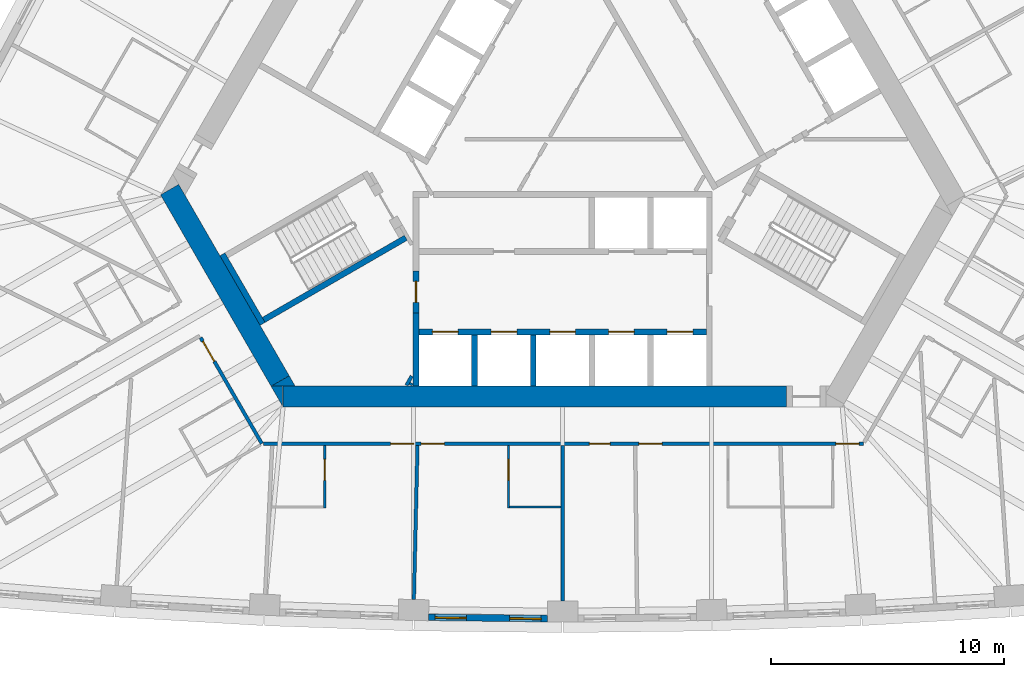
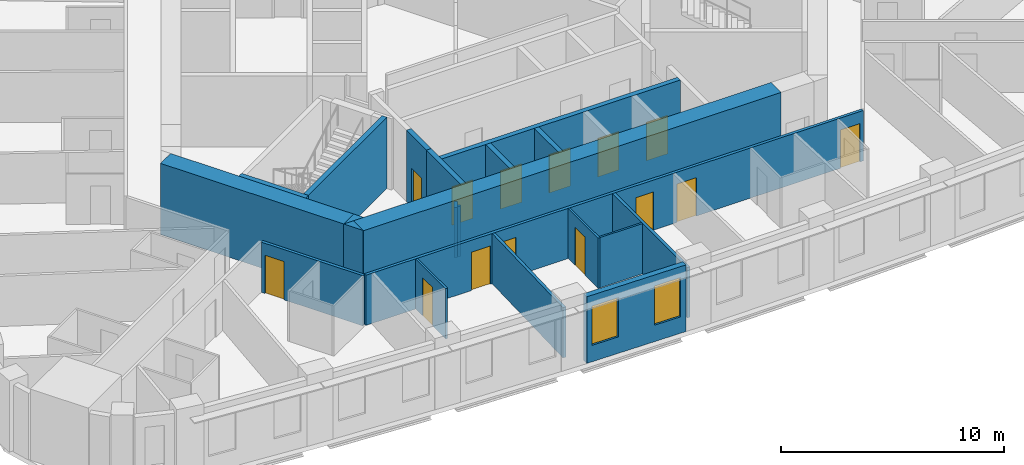
# One storey, part 4 of 13: 21 walls, 14 doors, 2 windows, 16 openings.
"""IFC4 building model written with IfcOpenShell, lengths in metres."""

from ifc_helpers import new_model, si_unit, direction, frame, frame_2d, origin, place, context, subcontext, project, spatial, polyline, rectangle, outline, extrude, material, layer, layer_set, type_object, element, fill, save


model = new_model("IFC4")

# Units and contexts
model_context = context("Model", 3, precision=1e-05, world=origin(), true_north=direction((0.0, 1.0)))
body_context = subcontext(model_context, "Body", "Model", "MODEL_VIEW")
ifc_project = project(units=[si_unit("LENGTHUNIT", "METRE"), si_unit("AREAUNIT", "SQUARE_METRE"), si_unit("VOLUMEUNIT", "CUBIC_METRE"), si_unit("PLANEANGLEUNIT", "RADIAN"), si_unit("MASSUNIT", "GRAM", prefix="KILO")], contexts=[model_context])

# Site, building, storey
site_placement = place(None, origin())
site = spatial("IfcSite", under=ifc_project, at=site_placement, CompositionType="ELEMENT")
building_placement = place(site_placement, origin())
building = spatial("IfcBuilding", under=site, at=building_placement, Name="Mestral Congress Tower", CompositionType="ELEMENT")
storey_placement = place(building_placement, frame((0.0, 0.0, 91.5)))
storey = spatial("IfcBuildingStorey", under=building, at=storey_placement, Name="L21", CompositionType="ELEMENT", Elevation=91.5)

# Walls
ifc_material_1 = material(Name="Fire-rated board partition")
ifc_layer_1 = layer(ifc_material_1, 0.14990234375)
ifc_layer_set_1 = layer_set([ifc_layer_1], Name="Fire-rated board partition")
wall_type_1 = type_object("IfcWallType", Name="Core partition 150", PredefinedType="PARTITIONING", material=ifc_layer_set_1)
wall_1_placement = place(storey_placement, frame((-6.707763671875, -12.068115234375, 0.0), z_axis=(0.0, 0.0, 1.0), x_axis=(0.500000789788, 0.8660249478, 0.0)))
element("IfcWall", 1, at=wall_1_placement, inside=storey, type_object=wall_type_1, Name="L21 core wall", PredefinedType="PARTITIONING", context=body_context, shape_type="SweptSolid", body=[
    extrude(rectangle(XDim=0.45556640625, YDim=0.14990234375, at=frame_2d((0.227783203125, 0.0))), origin(), (0.0, 0.0, 1.0), 2.75),
])
wall_2_placement = place(storey_placement, frame((-6.534423828125, -12.068115234375, 0.0), z_axis=(0.0, 0.0, 1.0), x_axis=(0.500240224089, 0.865886665912, 0.0)))
element("IfcWall", 2, at=wall_2_placement, inside=storey, type_object=wall_type_1, Name="L21 core wall", PredefinedType="PARTITIONING", context=body_context, shape_type="SweptSolid", body=[
    extrude(rectangle(XDim=0.10888671875, YDim=0.14990234375, at=frame_2d((0.054443359375, 0.0))), origin(), (0.0, 0.0, 1.0), 2.75),
])
ifc_material_2 = material(Name="Concrete C60/75", Category="concrete")
ifc_layer_2 = layer(ifc_material_2, 0.89990234375)
ifc_layer_set_2 = layer_set([ifc_layer_2], Name="Concrete C60/75")
wall_type_2 = type_object("IfcWallType", Name="Core wall RC 900", PredefinedType="SOLIDWALL", material=ifc_layer_set_2)
wall_3_placement = place(storey_placement, frame((-12.0185546875, -12.550048828125, 0.0), z_axis=(0.0, 0.0, 1.0), x_axis=(1.0, 0.0, 0.0)))
element("IfcWall", 3, at=wall_3_placement, inside=storey, type_object=wall_type_2, Name="L21 core wall", PredefinedType="SOLIDWALL", context=body_context, shape_type="SweptSolid", body=[
    extrude(rectangle(XDim=21.63037109375, YDim=0.89990234375, at=frame_2d((10.815185546875, 0.0))), origin(), (0.0, 0.0, 1.0), 3.89990234375),
])
placement = place(storey_placement, origin())
element("IfcWall", 4, at=placement, inside=storey, type_object=wall_type_2, Name="L21 core wall", PredefinedType="SOLIDWALL", context=body_context, shape_type="SweptSolid", body=[
    extrude(outline(polyline([(-12.528564453125, -12.10009765625), (-12.0205078125, -12.10009765625), (-12.0205078125, -12.97998046875), (-12.528564453125, -12.10009765625)])), origin(), (0.0, 0.0, 1.0), 3.89990234375),
])
wall_5_placement = place(storey_placement, frame((-12.134033203125, -11.88330078125, 0.0), z_axis=(0.0, 0.0, 1.0), x_axis=(-0.500005339912, 0.866022320763, 0.0)))
element("IfcWall", 5, at=wall_5_placement, inside=storey, type_object=wall_type_2, Name="L21 core wall", PredefinedType="SOLIDWALL", context=body_context, shape_type="SweptSolid", body=[
    extrude(rectangle(XDim=9.48779296875, YDim=0.89990234375, at=frame_2d((4.743896484375, 0.0))), origin(), (0.0, 0.0, 1.0), 3.89990234375),
])
element("IfcWall", 6, at=placement, inside=storey, type_object=wall_type_2, Name="L21 core wall", PredefinedType="SOLIDWALL", context=body_context, shape_type="SweptSolid", body=[
    extrude(outline(polyline([(-11.4892578125, -12.10009765625), (-12.50537109375, -12.10009765625), (-11.743408203125, -11.66015625), (-11.4892578125, -12.10009765625)])), origin(), (0.0, 0.0, 1.0), 3.89990234375),
])

# Wall, openings, windows
ifc_material_3 = material(Name="Precast concrete C40/50 with limestone facing", Category="masonry")
ifc_layer_3 = layer(ifc_material_3, 0.2900390625)
ifc_layer_set_3 = layer_set([ifc_layer_3], Name="Precast concrete C40/50 with limestone facing")
wall_type_3 = type_object("IfcWallType", Name="Facade stone wall 290", PredefinedType="SOLIDWALL", material=ifc_layer_set_3)
wall_7_placement = place(storey_placement, frame((-5.753173828125, -22.031494140625, 0.0), z_axis=(0.0, 0.0, 1.0), x_axis=(0.999931786565, -0.011679992145, 0.0)))
wall_7 = element("IfcWall", 7, at=wall_7_placement, inside=storey, type_object=wall_type_3, Name="Facade wall F0-03", PredefinedType="SOLIDWALL", context=body_context, shape_type="SweptSolid", body=[
    extrude(rectangle(XDim=5.10009765625, YDim=0.2900390625, at=frame_2d((2.550048828125, 0.0))), origin(), (0.0, 0.0, 1.0), 3.64990234375),
])
opening_1_placement = place(wall_7_placement, frame((0.2724609375, 0.0, 0.89990234375)))
opening_1 = element("IfcOpeningElement", 8, at=opening_1_placement, cuts=wall_7, Name="Opening W2", PredefinedType="OPENING", context=body_context, shape_type="SweptSolid", body=[
    extrude(rectangle(XDim=1.35009765625, YDim=2.14990234375, at=frame_2d((0.675048828125, 1.074951171875))), frame((0.0, 0.155029296875, 0.0), z_axis=(0.0, -1.0, 0.0), x_axis=(1.0, 0.0, 0.0)), (0.0, 0.0, 1.0), 0.31005859375),
])
opening_2_placement = place(wall_7_placement, frame((3.477783203125, 0.0, 0.89990234375)))
opening_2 = element("IfcOpeningElement", 9, at=opening_2_placement, cuts=wall_7, Name="Opening W2", PredefinedType="OPENING", context=body_context, shape_type="SweptSolid", body=[
    extrude(rectangle(XDim=1.35009765625, YDim=2.14990234375, at=frame_2d((0.675048828125, 1.074951171875))), frame((0.0, 0.155029296875, 0.0), z_axis=(0.0, -1.0, 0.0), x_axis=(1.0, 0.0, 0.0)), (0.0, 0.0, 1.0), 0.31005859375),
])
ifc_material_4 = material(Name="Clear low-emissivity double glazing", Category="glass")
window_type = type_object("IfcWindowType", Name="Facade punched window 1350 x 2150 sill 900", PartitioningType="DOUBLE_PANEL_VERTICAL", PredefinedType="WINDOW", material=ifc_material_4)
window_1_placement = place(opening_1_placement, origin())
window_1 = element("IfcWindow", 10, at=window_1_placement, inside=storey, type_object=window_type, Name="Window F0-03a", OverallHeight=2.14990234375, OverallWidth=1.35009765625, PartitioningType="DOUBLE_PANEL_VERTICAL", PredefinedType="WINDOW", context=body_context, shape_type="SweptSolid", body=[
    extrude(rectangle(XDim=1.35009765625, YDim=2.14990234375, at=frame_2d((0.675048828125, 1.074951171875))), frame((0.0, 0.01513671875, 0.0), z_axis=(0.0, -1.0, 0.0), x_axis=(1.0, 0.0, 0.0)), (0.0, 0.0, 1.0), 0.06005859375),
])
fill(opening_1, window_1)
window_2_placement = place(opening_2_placement, origin())
window_2 = element("IfcWindow", 11, at=window_2_placement, inside=storey, type_object=window_type, Name="Window F0-03b", OverallHeight=2.14990234375, OverallWidth=1.35009765625, PartitioningType="DOUBLE_PANEL_VERTICAL", PredefinedType="WINDOW", context=body_context, shape_type="SweptSolid", body=[
    extrude(rectangle(XDim=1.35009765625, YDim=2.14990234375, at=frame_2d((0.675048828125, 1.074951171875))), frame((0.0, 0.01513671875, 0.0), z_axis=(0.0, -1.0, 0.0), x_axis=(1.0, 0.0, 0.0)), (0.0, 0.0, 1.0), 0.06005859375),
])
fill(opening_2, window_2)

# Wall, opening, door
ifc_material_5 = material(Name="Gypsum board partition on metal studs with mineral wool", Category="composite")
ifc_layer_4 = layer(ifc_material_5, 0.10009765625)
ifc_layer_set_4 = layer_set([ifc_layer_4], Name="Gypsum board partition on metal studs with mineral wool")
wall_type_4 = type_object("IfcWallType", Name="Hotel partition wall 100", PredefinedType="PARTITIONING", material=ifc_layer_set_4)
wall_8_placement = place(storey_placement, frame((-10.222412109375, -17.35009765625, 0.0), z_axis=(0.0, 0.0, 1.0), x_axis=(0.0, 1.0, 0.0)))
wall_8 = element("IfcWall", 12, at=wall_8_placement, inside=storey, type_object=wall_type_4, Name="L21-h-pod03a", PredefinedType="PARTITIONING", context=body_context, shape_type="SweptSolid", body=[
    extrude(rectangle(XDim=2.7001953125, YDim=0.10009765625, at=frame_2d((1.35009765625, 0.0))), origin(), (0.0, 0.0, 1.0), 2.75),
])
opening_3_placement = place(wall_8_placement, frame((1.199951171875, 0.0, 0.0)))
opening_3 = element("IfcOpeningElement", 13, at=opening_3_placement, cuts=wall_8, Name="Opening H06-006", PredefinedType="OPENING", context=body_context, shape_type="SweptSolid", body=[
    extrude(rectangle(XDim=0.89990234375, YDim=2.10009765625, at=frame_2d((0.449951171875, 1.050048828125))), frame((0.0, 0.06005859375, 0.0), z_axis=(0.0, -1.0, 0.0), x_axis=(1.0, 0.0, 0.0)), (0.0, 0.0, 1.0), 0.1201171875),
])
ifc_material_6 = material(Name="Timber veneer door leaf in timber frame", Category="wood")
door_type_1 = type_object("IfcDoorType", Name="Bathroom door 900", OperationType="SINGLE_SWING_LEFT", PredefinedType="DOOR", material=ifc_material_6)
door_1_placement = place(opening_3_placement, origin())
door_1 = element("IfcDoor", 14, at=door_1_placement, inside=storey, type_object=door_type_1, Name="L21-h-d006", OperationType="SINGLE_SWING_RIGHT", OverallHeight=2.10009765625, OverallWidth=0.89990234375, PredefinedType="DOOR", context=body_context, shape_type="SweptSolid", body=[
    extrude(rectangle(XDim=0.89990234375, YDim=2.10009765625, at=frame_2d((0.449951171875, 1.050048828125))), frame((0.0, 0.02490234375, 0.0), z_axis=(0.0, -1.0, 0.0), x_axis=(1.0, 0.0, 0.0)), (0.0, 0.0, 1.0), 0.050048828125),
])
fill(opening_3, door_1)

wall_9_placement = place(storey_placement, frame((-2.325927734375, -14.64990234375, 0.0), z_axis=(0.0, 0.0, 1.0), x_axis=(0.0, -1.0, 0.0)))
wall_9 = element("IfcWall", 15, at=wall_9_placement, inside=storey, type_object=wall_type_4, Name="L21-h-pod04a", PredefinedType="PARTITIONING", context=body_context, shape_type="SweptSolid", body=[
    extrude(rectangle(XDim=2.7001953125, YDim=0.10009765625, at=frame_2d((1.35009765625, 0.0))), origin(), (0.0, 0.0, 1.0), 2.75),
])
opening_4_placement = place(wall_9_placement, frame((0.60009765625, 0.0, 0.0)))
opening_4 = element("IfcOpeningElement", 16, at=opening_4_placement, cuts=wall_9, Name="Opening H06-008", PredefinedType="OPENING", context=body_context, shape_type="SweptSolid", body=[
    extrude(rectangle(XDim=0.89990234375, YDim=2.10009765625, at=frame_2d((0.449951171875, 1.050048828125))), frame((0.0, 0.06005859375, 0.0), z_axis=(0.0, -1.0, 0.0), x_axis=(1.0, 0.0, 0.0)), (0.0, 0.0, 1.0), 0.1201171875),
])
door_2_placement = place(opening_4_placement, origin())
door_2 = element("IfcDoor", 17, at=door_2_placement, inside=storey, type_object=door_type_1, Name="L21-h-d008", OperationType="SINGLE_SWING_LEFT", OverallHeight=2.10009765625, OverallWidth=0.89990234375, PredefinedType="DOOR", context=body_context, shape_type="SweptSolid", body=[
    extrude(rectangle(XDim=0.89990234375, YDim=2.10009765625, at=frame_2d((0.449951171875, 1.050048828125))), frame((0.0, 0.02490234375, 0.0), z_axis=(0.0, -1.0, 0.0), x_axis=(1.0, 0.0, 0.0)), (0.0, 0.0, 1.0), 0.050048828125),
])
fill(opening_4, door_2)

# Wall
wall_10_placement = place(storey_placement, frame((-2.27587890625, -17.300048828125, 0.0), z_axis=(0.0, 0.0, 1.0), x_axis=(1.0, 0.0, 0.0)))
element("IfcWall", 18, at=wall_10_placement, inside=storey, type_object=wall_type_4, Name="L21-h-pod04b", PredefinedType="PARTITIONING", context=body_context, shape_type="SweptSolid", body=[
    extrude(rectangle(XDim=2.199951171875, YDim=0.10009765625, at=frame_2d((1.10009765625, 0.0))), origin(), (0.0, 0.0, 1.0), 2.75),
])

# Wall, opening, door
ifc_layer_5 = layer(ifc_material_5, 0.14990234375)
ifc_layer_set_5 = layer_set([ifc_layer_5], Name="Gypsum board partition on metal studs with mineral wool")
wall_type_5 = type_object("IfcWallType", Name="Hotel partition wall 150", PredefinedType="PARTITIONING", material=ifc_layer_set_5)
wall_11_placement = place(storey_placement, frame((-12.918212890625, -14.574951171875, 0.0), z_axis=(0.0, 0.0, 1.0), x_axis=(-0.500009150678, 0.866020120573, 0.0)))
wall_11 = element("IfcWall", 19, at=wall_11_placement, inside=storey, type_object=wall_type_5, Name="L21-h-cw12", PredefinedType="PARTITIONING", context=body_context, shape_type="SweptSolid", body=[
    extrude(rectangle(XDim=5.25830078125, YDim=0.14990234375, at=frame_2d((2.629150390625, 0.0))), origin(), (0.0, 0.0, 1.0), 2.75),
])
opening_5_placement = place(wall_11_placement, frame((4.078125, 0.0, 0.0)))
opening_5 = element("IfcOpeningElement", 20, at=opening_5_placement, cuts=wall_11, Name="Opening H06-003", PredefinedType="OPENING", context=body_context, shape_type="SweptSolid", body=[
    extrude(rectangle(XDim=1.0, YDim=2.10009765625, at=frame_2d((0.5, 1.050048828125))), frame((0.0, 0.0849609375, 0.0), z_axis=(0.0, -1.0, 0.0), x_axis=(1.0, 0.0, 0.0)), (0.0, 0.0, 1.0), 0.169921875),
])
ifc_material_7 = material(Name="Timber veneer door leaf in metal frame", Category="wood")
door_type_2 = type_object("IfcDoorType", Name="Guest room entrance door 1000", OperationType="SINGLE_SWING_LEFT", PredefinedType="DOOR", material=ifc_material_7)
door_3_placement = place(opening_5_placement, origin())
door_3 = element("IfcDoor", 21, at=door_3_placement, inside=storey, type_object=door_type_2, Name="L21-h-d003", OperationType="SINGLE_SWING_RIGHT", OverallHeight=2.10009765625, OverallWidth=1.0, PredefinedType="DOOR", context=body_context, shape_type="SweptSolid", body=[
    extrude(rectangle(XDim=1.0, YDim=2.10009765625, at=frame_2d((0.5, 1.050048828125))), frame((0.0, 0.02490234375, 0.0), z_axis=(0.0, -1.0, 0.0), x_axis=(1.0, 0.0, 0.0)), (0.0, 0.0, 1.0), 0.050048828125),
])
fill(opening_5, door_3)

# Wall, openings, doors
wall_12_placement = place(storey_placement, frame((12.918212890625, -14.574951171875, 0.0), z_axis=(0.0, 0.0, 1.0), x_axis=(-1.0, 0.0, 0.0)))
wall_12 = element("IfcWall", 22, at=wall_12_placement, inside=storey, type_object=wall_type_5, Name="L21-h-cw13", PredefinedType="PARTITIONING", context=body_context, shape_type="SweptSolid", body=[
    extrude(rectangle(XDim=25.766357421875, YDim=0.14990234375, at=frame_2d((12.88330078125, 0.0))), origin(), (0.0, 0.0, 1.0), 2.75),
])
opening_6_placement = place(wall_12_placement, frame((19.305908203125, 0.0, 0.0)))
opening_6 = element("IfcOpeningElement", 23, at=opening_6_placement, cuts=wall_12, Name="Opening H06-005", PredefinedType="OPENING", context=body_context, shape_type="SweptSolid", body=[
    extrude(rectangle(XDim=1.0, YDim=2.10009765625, at=frame_2d((0.5, 1.050048828125))), frame((0.0, 0.0849609375, 0.0), z_axis=(0.0, -1.0, 0.0), x_axis=(1.0, 0.0, 0.0)), (0.0, 0.0, 1.0), 0.169921875),
])
opening_7_placement = place(wall_12_placement, frame((17.99853515625, 0.0, 0.0)))
opening_7 = element("IfcOpeningElement", 24, at=opening_7_placement, cuts=wall_12, Name="Opening H06-007", PredefinedType="OPENING", context=body_context, shape_type="SweptSolid", body=[
    extrude(rectangle(XDim=1.0, YDim=2.10009765625, at=frame_2d((0.5, 1.050048828125))), frame((0.0, 0.0849609375, 0.0), z_axis=(0.0, -1.0, 0.0), x_axis=(1.0, 0.0, 0.0)), (0.0, 0.0, 1.0), 0.169921875),
])
opening_8_placement = place(wall_12_placement, frame((10.8740234375, 0.0, 0.0)))
opening_8 = element("IfcOpeningElement", 25, at=opening_8_placement, cuts=wall_12, Name="Opening H06-009", PredefinedType="OPENING", context=body_context, shape_type="SweptSolid", body=[
    extrude(rectangle(XDim=0.89990234375, YDim=2.10009765625, at=frame_2d((0.449951171875, 1.050048828125))), frame((0.0, 0.0849609375, 0.0), z_axis=(0.0, -1.0, 0.0), x_axis=(1.0, 0.0, 0.0)), (0.0, 0.0, 1.0), 0.169921875),
])
opening_9_placement = place(wall_12_placement, frame((8.6474609375, 0.0, 0.0)))
opening_9 = element("IfcOpeningElement", 26, at=opening_9_placement, cuts=wall_12, Name="Opening H06-010", PredefinedType="OPENING", context=body_context, shape_type="SweptSolid", body=[
    extrude(rectangle(XDim=1.0, YDim=2.10009765625, at=frame_2d((0.5, 1.050048828125))), frame((0.0, 0.0849609375, 0.0), z_axis=(0.0, -1.0, 0.0), x_axis=(1.0, 0.0, 0.0)), (0.0, 0.0, 1.0), 0.169921875),
])
opening_10_placement = place(wall_12_placement, frame((0.179931640625, 0.0, 0.0)))
opening_10 = element("IfcOpeningElement", 27, at=opening_10_placement, cuts=wall_12, Name="Opening H06-012", PredefinedType="OPENING", context=body_context, shape_type="SweptSolid", body=[
    extrude(rectangle(XDim=1.0, YDim=2.10009765625, at=frame_2d((0.5, 1.050048828125))), frame((0.0, 0.0849609375, 0.0), z_axis=(0.0, -1.0, 0.0), x_axis=(1.0, 0.0, 0.0)), (0.0, 0.0, 1.0), 0.169921875),
])
door_4_placement = place(opening_6_placement, origin())
door_4 = element("IfcDoor", 28, at=door_4_placement, inside=storey, type_object=door_type_2, Name="L21-h-d005", OperationType="SINGLE_SWING_LEFT", OverallHeight=2.10009765625, OverallWidth=1.0, PredefinedType="DOOR", context=body_context, shape_type="SweptSolid", body=[
    extrude(rectangle(XDim=1.0, YDim=2.10009765625, at=frame_2d((0.5, 1.050048828125))), frame((0.0, 0.02490234375, 0.0), z_axis=(0.0, -1.0, 0.0), x_axis=(1.0, 0.0, 0.0)), (0.0, 0.0, 1.0), 0.050048828125),
])
fill(opening_6, door_4)
door_5_placement = place(opening_7_placement, origin())
door_5 = element("IfcDoor", 29, at=door_5_placement, inside=storey, type_object=door_type_2, Name="L21-h-d007", OperationType="SINGLE_SWING_RIGHT", OverallHeight=2.10009765625, OverallWidth=1.0, PredefinedType="DOOR", context=body_context, shape_type="SweptSolid", body=[
    extrude(rectangle(XDim=1.0, YDim=2.10009765625, at=frame_2d((0.5, 1.050048828125))), frame((0.0, 0.02490234375, 0.0), z_axis=(0.0, -1.0, 0.0), x_axis=(1.0, 0.0, 0.0)), (0.0, 0.0, 1.0), 0.050048828125),
])
fill(opening_7, door_5)
door_6_placement = place(opening_9_placement, origin())
door_6 = element("IfcDoor", 30, at=door_6_placement, inside=storey, type_object=door_type_2, Name="L21-h-d010", OperationType="SINGLE_SWING_RIGHT", OverallHeight=2.10009765625, OverallWidth=1.0, PredefinedType="DOOR", context=body_context, shape_type="SweptSolid", body=[
    extrude(rectangle(XDim=1.0, YDim=2.10009765625, at=frame_2d((0.5, 1.050048828125))), frame((0.0, 0.02490234375, 0.0), z_axis=(0.0, -1.0, 0.0), x_axis=(1.0, 0.0, 0.0)), (0.0, 0.0, 1.0), 0.050048828125),
])
fill(opening_9, door_6)
door_7_placement = place(opening_10_placement, origin())
door_7 = element("IfcDoor", 31, at=door_7_placement, inside=storey, type_object=door_type_2, Name="L21-h-d012", OperationType="SINGLE_SWING_LEFT", OverallHeight=2.10009765625, OverallWidth=1.0, PredefinedType="DOOR", context=body_context, shape_type="SweptSolid", body=[
    extrude(rectangle(XDim=1.0, YDim=2.10009765625, at=frame_2d((0.5, 1.050048828125))), frame((0.0, 0.02490234375, 0.0), z_axis=(0.0, -1.0, 0.0), x_axis=(1.0, 0.0, 0.0)), (0.0, 0.0, 1.0), 0.050048828125),
])
fill(opening_10, door_7)
door_type_3 = type_object("IfcDoorType", Name="Service room door 900", OperationType="SINGLE_SWING_LEFT", PredefinedType="DOOR", material=ifc_material_7)
door_8_placement = place(opening_8_placement, origin())
door_8 = element("IfcDoor", 32, at=door_8_placement, inside=storey, type_object=door_type_3, Name="L21-h-d009", OperationType="SINGLE_SWING_LEFT", OverallHeight=2.10009765625, OverallWidth=0.89990234375, PredefinedType="DOOR", context=body_context, shape_type="SweptSolid", body=[
    extrude(rectangle(XDim=0.89990234375, YDim=2.10009765625, at=frame_2d((0.449951171875, 1.050048828125))), frame((0.0, 0.02490234375, 0.0), z_axis=(0.0, -1.0, 0.0), x_axis=(1.0, 0.0, 0.0)), (0.0, 0.0, 1.0), 0.050048828125),
])
fill(opening_8, door_8)

# Walls
wall_13_placement = place(storey_placement, frame((-6.388916015625, -21.268798828125, 0.0), z_axis=(0.0, 0.0, 1.0), x_axis=(0.023377429176, 0.999726710559, 0.0)))
element("IfcWall", 33, at=wall_13_placement, inside=storey, type_object=wall_type_5, Name="L21-h-pw12", PredefinedType="PARTITIONING", context=body_context, shape_type="SweptSolid", body=[
    extrude(rectangle(XDim=6.610595703125, YDim=0.14990234375, at=frame_2d((3.30517578125, 0.0))), origin(), (0.0, 0.0, 1.0), 2.75),
])
wall_14_placement = place(storey_placement, frame((0.0, -21.343505859375, 0.0), z_axis=(0.0, 0.0, 1.0), x_axis=(0.0, 1.0, 0.0)))
element("IfcWall", 34, at=wall_14_placement, inside=storey, type_object=wall_type_5, Name="L21-h-pw15", PredefinedType="PARTITIONING", context=body_context, shape_type="SweptSolid", body=[
    extrude(rectangle(XDim=6.693603515625, YDim=0.14990234375, at=frame_2d((3.3466796875, 0.0))), origin(), (0.0, 0.0, 1.0), 2.75),
])
ifc_layer_6 = layer(ifc_material_2, 0.25)
ifc_layer_set_6 = layer_set([ifc_layer_6], Name="Concrete C60/75")
wall_type_6 = type_object("IfcWallType", Name="Shaft wall RC 250", PredefinedType="SOLIDWALL", material=ifc_layer_set_6)
wall_15_placement = place(storey_placement, frame((-3.780029296875, -12.10009765625, 0.0), z_axis=(0.0, 0.0, 1.0), x_axis=(0.0, 1.0, 0.0)))
element("IfcWall", 35, at=wall_15_placement, inside=storey, type_object=wall_type_6, Name="L21 core wall", PredefinedType="SOLIDWALL", context=body_context, shape_type="SweptSolid", body=[
    extrude(rectangle(XDim=2.199951171875, YDim=0.25, at=frame_2d((1.10009765625, 0.0))), origin(), (0.0, 0.0, 1.0), 3.89990234375),
])
wall_16_placement = place(storey_placement, frame((-6.300048828125, -12.10009765625, 0.0), z_axis=(0.0, 0.0, 1.0), x_axis=(0.0, 1.0, 0.0)))
element("IfcWall", 36, at=wall_16_placement, inside=storey, type_object=wall_type_6, Name="L21 core wall", PredefinedType="SOLIDWALL", context=body_context, shape_type="SweptSolid", body=[
    extrude(rectangle(XDim=3.1455078125, YDim=0.25, at=frame_2d((1.57275390625, 0.0))), origin(), (0.0, 0.0, 1.0), 3.89990234375),
])
wall_17_placement = place(storey_placement, frame((-1.260009765625, -12.10009765625, 0.0), z_axis=(0.0, 0.0, 1.0), x_axis=(0.0, 1.0, 0.0)))
element("IfcWall", 37, at=wall_17_placement, inside=storey, type_object=wall_type_6, Name="L21 core wall", PredefinedType="SOLIDWALL", context=body_context, shape_type="SweptSolid", body=[
    extrude(rectangle(XDim=2.199951171875, YDim=0.25, at=frame_2d((1.10009765625, 0.0))), origin(), (0.0, 0.0, 1.0), 3.89990234375),
])

# Wall, openings, doors
wall_18_placement = place(storey_placement, frame((-6.175048828125, -9.77490234375, 0.0), z_axis=(0.0, 0.0, 1.0), x_axis=(1.0, 0.0, 0.0)))
wall_18 = element("IfcWall", 38, at=wall_18_placement, inside=storey, type_object=wall_type_6, Name="L21 door wall", PredefinedType="SOLIDWALL", context=body_context, shape_type="SweptSolid", body=[
    extrude(rectangle(XDim=12.35009765625, YDim=0.25, at=frame_2d((6.175048828125, 0.0))), origin(), (0.0, 0.0, 1.0), 3.89990234375),
])
opening_11_placement = place(wall_18_placement, frame((0.5849609375, 0.0, 0.0)))
opening_11 = element("IfcOpeningElement", 39, at=opening_11_placement, cuts=wall_18, Name="Opening LD-SOA1", PredefinedType="OPENING", context=body_context, shape_type="SweptSolid", body=[
    extrude(rectangle(XDim=1.10009765625, YDim=2.10009765625, at=frame_2d((0.550048828125, 1.050048828125))), frame((0.0, 0.135009765625, 0.0), z_axis=(0.0, -1.0, 0.0), x_axis=(1.0, 0.0, 0.0)), (0.0, 0.0, 1.0), 0.27001953125),
])
opening_12_placement = place(wall_18_placement, frame((3.10498046875, 0.0, 0.0)))
opening_12 = element("IfcOpeningElement", 40, at=opening_12_placement, cuts=wall_18, Name="Opening LD-SOA2", PredefinedType="OPENING", context=body_context, shape_type="SweptSolid", body=[
    extrude(rectangle(XDim=1.10009765625, YDim=2.10009765625, at=frame_2d((0.550048828125, 1.050048828125))), frame((0.0, 0.135009765625, 0.0), z_axis=(0.0, -1.0, 0.0), x_axis=(1.0, 0.0, 0.0)), (0.0, 0.0, 1.0), 0.27001953125),
])
opening_13_placement = place(wall_18_placement, frame((5.625, 0.0, 0.0)))
opening_13 = element("IfcOpeningElement", 41, at=opening_13_placement, cuts=wall_18, Name="Opening LD-SOA3", PredefinedType="OPENING", context=body_context, shape_type="SweptSolid", body=[
    extrude(rectangle(XDim=1.10009765625, YDim=2.10009765625, at=frame_2d((0.550048828125, 1.050048828125))), frame((0.0, 0.135009765625, 0.0), z_axis=(0.0, -1.0, 0.0), x_axis=(1.0, 0.0, 0.0)), (0.0, 0.0, 1.0), 0.27001953125),
])
opening_14_placement = place(wall_18_placement, frame((8.14501953125, 0.0, 0.0)))
opening_14 = element("IfcOpeningElement", 42, at=opening_14_placement, cuts=wall_18, Name="Opening LD-SOA4", PredefinedType="OPENING", context=body_context, shape_type="SweptSolid", body=[
    extrude(rectangle(XDim=1.10009765625, YDim=2.10009765625, at=frame_2d((0.550048828125, 1.050048828125))), frame((0.0, 0.135009765625, 0.0), z_axis=(0.0, -1.0, 0.0), x_axis=(1.0, 0.0, 0.0)), (0.0, 0.0, 1.0), 0.27001953125),
])
opening_15_placement = place(wall_18_placement, frame((10.6650390625, 0.0, 0.0)))
opening_15 = element("IfcOpeningElement", 43, at=opening_15_placement, cuts=wall_18, Name="Opening LD-SOA5", PredefinedType="OPENING", context=body_context, shape_type="SweptSolid", body=[
    extrude(rectangle(XDim=1.10009765625, YDim=2.10009765625, at=frame_2d((0.550048828125, 1.050048828125))), frame((0.0, 0.135009765625, 0.0), z_axis=(0.0, -1.0, 0.0), x_axis=(1.0, 0.0, 0.0)), (0.0, 0.0, 1.0), 0.27001953125),
])
ifc_material_8 = material(Name="Fire-rated steel door set", Category="steel")
door_type_4 = type_object("IfcDoorType", Name="Core door LD 1100x2100", OperationType="DOUBLE_DOOR_SLIDING", PredefinedType="DOOR", material=ifc_material_8)
door_9_placement = place(opening_11_placement, origin())
door_9 = element("IfcDoor", 44, at=door_9_placement, inside=storey, type_object=door_type_4, Name="Door LD-SOA1", OperationType="DOUBLE_DOOR_SLIDING", OverallHeight=2.10009765625, OverallWidth=1.10009765625, PredefinedType="DOOR", context=body_context, shape_type="SweptSolid", body=[
    extrude(rectangle(XDim=1.10009765625, YDim=2.10009765625, at=frame_2d((0.550048828125, 1.050048828125))), frame((0.0, 0.02490234375, 0.0), z_axis=(0.0, -1.0, 0.0), x_axis=(1.0, 0.0, 0.0)), (0.0, 0.0, 1.0), 0.050048828125),
])
fill(opening_11, door_9)
door_10_placement = place(opening_12_placement, origin())
door_10 = element("IfcDoor", 45, at=door_10_placement, inside=storey, type_object=door_type_4, Name="Door LD-SOA2", OperationType="DOUBLE_DOOR_SLIDING", OverallHeight=2.10009765625, OverallWidth=1.10009765625, PredefinedType="DOOR", context=body_context, shape_type="SweptSolid", body=[
    extrude(rectangle(XDim=1.10009765625, YDim=2.10009765625, at=frame_2d((0.550048828125, 1.050048828125))), frame((0.0, 0.02490234375, 0.0), z_axis=(0.0, -1.0, 0.0), x_axis=(1.0, 0.0, 0.0)), (0.0, 0.0, 1.0), 0.050048828125),
])
fill(opening_12, door_10)
door_11_placement = place(opening_13_placement, origin())
door_11 = element("IfcDoor", 46, at=door_11_placement, inside=storey, type_object=door_type_4, Name="Door LD-SOA3", OperationType="DOUBLE_DOOR_SLIDING", OverallHeight=2.10009765625, OverallWidth=1.10009765625, PredefinedType="DOOR", context=body_context, shape_type="SweptSolid", body=[
    extrude(rectangle(XDim=1.10009765625, YDim=2.10009765625, at=frame_2d((0.550048828125, 1.050048828125))), frame((0.0, 0.02490234375, 0.0), z_axis=(0.0, -1.0, 0.0), x_axis=(1.0, 0.0, 0.0)), (0.0, 0.0, 1.0), 0.050048828125),
])
fill(opening_13, door_11)
door_12_placement = place(opening_14_placement, origin())
door_12 = element("IfcDoor", 47, at=door_12_placement, inside=storey, type_object=door_type_4, Name="Door LD-SOA4", OperationType="DOUBLE_DOOR_SLIDING", OverallHeight=2.10009765625, OverallWidth=1.10009765625, PredefinedType="DOOR", context=body_context, shape_type="SweptSolid", body=[
    extrude(rectangle(XDim=1.10009765625, YDim=2.10009765625, at=frame_2d((0.550048828125, 1.050048828125))), frame((0.0, 0.02490234375, 0.0), z_axis=(0.0, -1.0, 0.0), x_axis=(1.0, 0.0, 0.0)), (0.0, 0.0, 1.0), 0.050048828125),
])
fill(opening_14, door_12)
door_13_placement = place(opening_15_placement, origin())
door_13 = element("IfcDoor", 48, at=door_13_placement, inside=storey, type_object=door_type_4, Name="Door LD-SOA5", OperationType="DOUBLE_DOOR_SLIDING", OverallHeight=2.10009765625, OverallWidth=1.10009765625, PredefinedType="DOOR", context=body_context, shape_type="SweptSolid", body=[
    extrude(rectangle(XDim=1.10009765625, YDim=2.10009765625, at=frame_2d((0.550048828125, 1.050048828125))), frame((0.0, 0.02490234375, 0.0), z_axis=(0.0, -1.0, 0.0), x_axis=(1.0, 0.0, 0.0)), (0.0, 0.0, 1.0), 0.050048828125),
])
fill(opening_15, door_13)

# Wall, opening, door
wall_19_placement = place(storey_placement, frame((-6.300048828125, -7.154296875, 0.0), z_axis=(0.0, 0.0, 1.0), x_axis=(0.0, -1.0, 0.0)))
wall_19 = element("IfcWall", 49, at=wall_19_placement, inside=storey, type_object=wall_type_6, Name="L21 door wall", PredefinedType="SOLIDWALL", context=body_context, shape_type="SweptSolid", body=[
    extrude(rectangle(XDim=1.800048828125, YDim=0.25, at=frame_2d((0.89990234375, 0.0))), origin(), (0.0, 0.0, 1.0), 3.89990234375),
])
opening_16_placement = place(wall_19_placement, frame((0.449951171875, 0.0, 0.0)))
opening_16 = element("IfcOpeningElement", 50, at=opening_16_placement, cuts=wall_19, Name="Opening TD3", PredefinedType="OPENING", context=body_context, shape_type="SweptSolid", body=[
    extrude(rectangle(XDim=0.89990234375, YDim=2.10009765625, at=frame_2d((0.449951171875, 1.050048828125))), frame((0.0, 0.135009765625, 0.0), z_axis=(0.0, -1.0, 0.0), x_axis=(1.0, 0.0, 0.0)), (0.0, 0.0, 1.0), 0.27001953125),
])
door_type_5 = type_object("IfcDoorType", Name="Core door SR 900x2100", OperationType="SINGLE_SWING_LEFT", PredefinedType="DOOR", material=ifc_material_8)
door_14_placement = place(opening_16_placement, origin())
door_14 = element("IfcDoor", 51, at=door_14_placement, inside=storey, type_object=door_type_5, Name="Door TD3", OperationType="SINGLE_SWING_LEFT", OverallHeight=2.10009765625, OverallWidth=0.89990234375, PredefinedType="DOOR", context=body_context, shape_type="SweptSolid", body=[
    extrude(rectangle(XDim=0.89990234375, YDim=2.10009765625, at=frame_2d((0.449951171875, 1.050048828125))), frame((0.0, 0.02490234375, 0.0), z_axis=(0.0, -1.0, 0.0), x_axis=(1.0, 0.0, 0.0)), (0.0, 0.0, 1.0), 0.050048828125),
])
fill(opening_16, door_14)

# Walls
ifc_layer_7 = layer(ifc_material_2, 0.25)
ifc_layer_set_7 = layer_set([ifc_layer_7], Name="Concrete C60/75")
wall_type_7 = type_object("IfcWallType", Name="Stair wall RC 250", PredefinedType="SOLIDWALL", material=ifc_layer_set_7)
wall_20_placement = place(storey_placement, frame((-12.885498046875, -9.431396484375, 0.0), z_axis=(0.0, 0.0, 1.0), x_axis=(-0.500020560727, 0.866013532718, 0.0)))
element("IfcWall", 52, at=wall_20_placement, inside=storey, type_object=wall_type_7, Name="L21 core wall", PredefinedType="SOLIDWALL", context=body_context, shape_type="SweptSolid", body=[
    extrude(rectangle(XDim=3.449951171875, YDim=0.25, at=frame_2d((1.72509765625, 0.0))), origin(), (0.0, 0.0, 1.0), 3.89990234375),
])
wall_21_placement = place(storey_placement, frame((-12.83984375, -9.2607421875, 0.0), z_axis=(0.0, 0.0, 1.0), x_axis=(0.866016039709, 0.500016218704, 0.0)))
element("IfcWall", 53, at=wall_21_placement, inside=storey, type_object=wall_type_7, Name="L21 core wall", PredefinedType="SOLIDWALL", context=body_context, shape_type="SweptSolid", body=[
    extrude(rectangle(XDim=7.050048828125, YDim=0.25, at=frame_2d((3.52490234375, 0.0))), origin(), (0.0, 0.0, 1.0), 3.89990234375),
])

save(model, "model.ifc")
